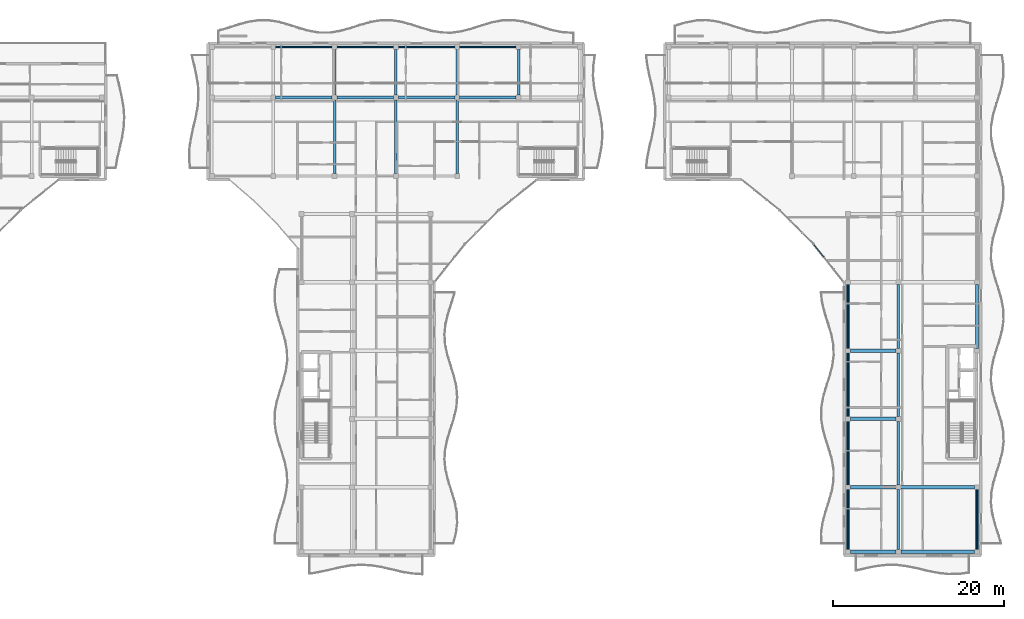
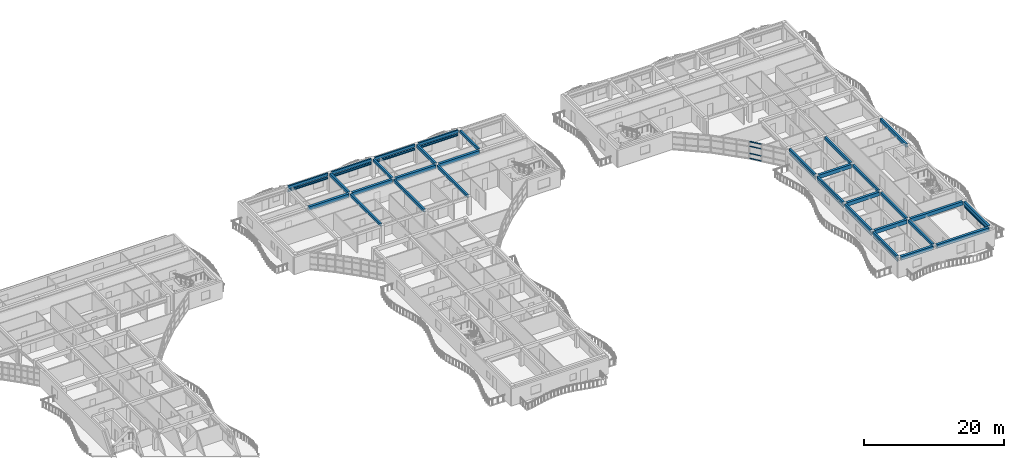
# One storey, part 17 of 68: 31 beams, 22 members, 1 element without a shape of its own.
"""IFC4 building model written with IfcOpenShell, lengths in metres."""

from ifc_helpers import new_model, si_unit, direction, frame, origin, origin_2d, place, context, subcontext, project, spatial, rectangle, hollow_rectangle, extrude, material, layer, layer_set, material_profile, profile_set, type_object, element, aggregate, save


model = new_model("IFC4")

# Units and contexts
model_context = context("Model", 3, precision=1e-05, world=origin(), true_north=direction((0.0, 1.0)))
body_context = subcontext(model_context, "Body", "Model", "MODEL_VIEW")
ifc_project = project(units=[si_unit("LENGTHUNIT", "METRE"), si_unit("AREAUNIT", "SQUARE_METRE"), si_unit("VOLUMEUNIT", "CUBIC_METRE"), si_unit("PLANEANGLEUNIT", "RADIAN"), si_unit("MASSUNIT", "GRAM", prefix="KILO")], contexts=[model_context])

# Site, building, storey
site_placement = place(None, origin())
site = spatial("IfcSite", under=ifc_project, at=site_placement, CompositionType="ELEMENT")
building_placement = place(site_placement, origin())
building = spatial("IfcBuilding", under=site, at=building_placement, Name="Keldmere Railside Commons", CompositionType="ELEMENT")
storey_placement = place(building_placement, frame((0.0, 0.0, 23.360107421875)))
storey = spatial("IfcBuildingStorey", under=building, at=storey_placement, Name="L07", CompositionType="ELEMENT", Elevation=23.360107421875)

# Members
ifc_material_1 = material(Name="Steel F-36 (S355)", Category="steel")
ifc_material_profile_1 = material_profile(ifc_material_1, hollow_rectangle(XDim=0.14990234375, YDim=0.25, WallThickness=0.010009765625, at=origin_2d()), Name="RHS-250x150x10")
ifc_profile_set_1 = profile_set([ifc_material_profile_1], Name="Steel F-36 (S355)")
member_type_1 = type_object("IfcMemberType", Name="Balcony Continuous Planted Trough RHS250x150", PredefinedType="CHORD", material=ifc_profile_set_1)
member_1_placement = place(storey_placement, frame((101.407958984375, 115.550048828125, 2.414794921875), z_axis=(1.0, 0.0, 0.0), x_axis=(0.0, 1.0, 0.0)))
element("IfcMember", 1, at=member_1_placement, inside=storey, type_object=member_type_1, Name="PLT-1 MEM-BPLT-0813", PredefinedType="CHORD", context=body_context, shape_type="SweptSolid", body=[
    extrude(hollow_rectangle(XDim=0.14990234375, YDim=0.25, WallThickness=0.010009765625, at=origin_2d()), origin(), (0.0, 0.0, 1.0), 6.634033203125),
])
for number, where, z_axis, x_axis, name in (
    (2, (108.592041015625, 115.550048828125, 2.414794921875), (1.0, 0.0, 0.0), (0.0, 1.0, 0.0), "PLT-1 MEM-BPLT-0815"),
    (3, (115.77490234375, 115.550048828125, 2.414794921875), (1.0, 0.0, 0.0), (0.0, 1.0, 0.0), "PLT-1 MEM-BPLT-0817"),
):
    element("IfcMember", number, at=place(storey_placement, frame(where, z_axis=z_axis, x_axis=x_axis)), inside=storey, type_object=member_type_1, Name=name, PredefinedType="CHORD", context=body_context, shape_type="SweptSolid", body=[
        extrude(hollow_rectangle(XDim=0.14990234375, YDim=0.25, WallThickness=0.010009765625, at=origin_2d()), origin(), (0.0, 0.0, 1.0), 6.633056640625),
    ])
member_2_placement = place(storey_placement, frame((122.9580078125, 115.550048828125, 2.414794921875), z_axis=(1.0, 0.0, 0.0), x_axis=(0.0, 1.0, 0.0)))
element("IfcMember", 4, at=member_2_placement, inside=storey, type_object=member_type_1, Name="PLT-1 MEM-BPLT-0819", PredefinedType="CHORD", context=body_context, shape_type="SweptSolid", body=[
    extrude(hollow_rectangle(XDim=0.14990234375, YDim=0.25, WallThickness=0.010009765625, at=origin_2d()), origin(), (0.0, 0.0, 1.0), 6.634033203125),
])
member_3_placement = place(storey_placement, frame((168.449951171875, 56.72509765625, 2.414794921875), z_axis=(0.0, 1.0, 0.0), x_axis=(-1.0, 0.0, 0.0)))
element("IfcMember", 5, at=member_3_placement, inside=storey, type_object=member_type_1, Name="PLT-1 MEM-BPLT-0849", PredefinedType="CHORD", context=body_context, shape_type="SweptSolid", body=[
    extrude(hollow_rectangle(XDim=0.14990234375, YDim=0.25, WallThickness=0.010009765625, at=origin_2d()), origin(), (0.0, 0.0, 1.0), 7.0),
])
for number, where, z_axis, x_axis, name in (
    (6, (168.449951171875, 64.27490234375, 2.414794921875), (0.0, 1.0, 0.0), (-1.0, 0.0, 0.0), "PLT-1 MEM-BPLT-0851"),
    (7, (168.449951171875, 72.27490234375, 2.414794921875), (0.0, 1.0, 0.0), (-1.0, 0.0, 0.0), "PLT-1 MEM-BPLT-0853"),
    (8, (168.449951171875, 80.27490234375, 2.414794921875), (0.0, 1.0, 0.0), (-1.0, 0.0, 0.0), "PLT-1 MEM-BPLT-0855"),
):
    element("IfcMember", number, at=place(storey_placement, frame(where, z_axis=z_axis, x_axis=x_axis)), inside=storey, type_object=member_type_1, Name=name, PredefinedType="CHORD", context=body_context, shape_type="SweptSolid", body=[
        extrude(hollow_rectangle(XDim=0.14990234375, YDim=0.25, WallThickness=0.010009765625, at=origin_2d()), origin(), (0.0, 0.0, 1.0), 7.4501953125),
    ])
member_4_placement = place(storey_placement, frame((183.550048828125, 56.72509765625, 2.414794921875), z_axis=(0.0, 1.0, 0.0), x_axis=(-1.0, 0.0, 0.0)))
element("IfcMember", 9, at=member_4_placement, inside=storey, type_object=member_type_1, Name="PLT-1 MEM-BPLT-0859", PredefinedType="CHORD", context=body_context, shape_type="SweptSolid", body=[
    extrude(hollow_rectangle(XDim=0.14990234375, YDim=0.25, WallThickness=0.010009765625, at=origin_2d()), origin(), (0.0, 0.0, 1.0), 7.0),
])

# Beams
ifc_material_2 = material(Name="Architectural Precast Concrete H-35 (C35/45)", Category="concrete")
ifc_material_profile_2 = material_profile(ifc_material_2, rectangle(XDim=0.25, YDim=0.449951171875, at=origin_2d()), Name="RC-250x450")
ifc_profile_set_2 = profile_set([ifc_material_profile_2], Name="Architectural Precast Concrete H-35 (C35/45)")
beam_type_1 = type_object("IfcBeamType", Name="Perimeter Precast Spandrel Beam 250x450", PredefinedType="SPANDREL", material=ifc_profile_set_2)
beam_1_placement = place(storey_placement, frame((101.407958984375, 115.550048828125, 2.974853515625), z_axis=(1.0, 0.0, 0.0), x_axis=(0.0, 1.0, 0.0)))
element("IfcBeam", 10, at=beam_1_placement, inside=storey, type_object=beam_type_1, Name="SPB-1 BM-L07-2084", PredefinedType="SPANDREL", context=body_context, shape_type="SweptSolid", body=[
    extrude(rectangle(XDim=0.25, YDim=0.449951171875, at=origin_2d()), origin(), (0.0, 0.0, 1.0), 6.634033203125),
])
for number, where, z_axis, x_axis, name in (
    (11, (108.592041015625, 115.550048828125, 2.974853515625), (1.0, 0.0, 0.0), (0.0, 1.0, 0.0), "SPB-1 BM-L07-2085"),
    (12, (115.77490234375, 115.550048828125, 2.974853515625), (1.0, 0.0, 0.0), (0.0, 1.0, 0.0), "SPB-1 BM-L07-2086"),
):
    element("IfcBeam", number, at=place(storey_placement, frame(where, z_axis=z_axis, x_axis=x_axis)), inside=storey, type_object=beam_type_1, Name=name, PredefinedType="SPANDREL", context=body_context, shape_type="SweptSolid", body=[
        extrude(rectangle(XDim=0.25, YDim=0.449951171875, at=origin_2d()), origin(), (0.0, 0.0, 1.0), 6.633056640625),
    ])
beam_2_placement = place(storey_placement, frame((122.9580078125, 115.550048828125, 2.974853515625), z_axis=(1.0, 0.0, 0.0), x_axis=(0.0, 1.0, 0.0)))
element("IfcBeam", 13, at=beam_2_placement, inside=storey, type_object=beam_type_1, Name="SPB-1 BM-L07-2087", PredefinedType="SPANDREL", context=body_context, shape_type="SweptSolid", body=[
    extrude(rectangle(XDim=0.25, YDim=0.449951171875, at=origin_2d()), origin(), (0.0, 0.0, 1.0), 6.634033203125),
])
ifc_material_3 = material(Name="Concrete H-30 (C30/37)", Category="concrete")
ifc_material_profile_3 = material_profile(ifc_material_3, rectangle(XDim=0.35009765625, YDim=0.60009765625, at=origin_2d()), Name="RC-350x600")
ifc_profile_set_3 = profile_set([ifc_material_profile_3], Name="Concrete H-30 (C30/37)")
beam_type_2 = type_object("IfcBeamType", Name="Residential Chord RC Beam 350x600", PredefinedType="BEAM", material=ifc_profile_set_3)
beam_3_placement = place(storey_placement, frame((183.550048828125, 56.72509765625, 2.89990234375), z_axis=(0.0, 1.0, 0.0), x_axis=(-1.0, 0.0, 0.0)))
element("IfcBeam", 14, at=beam_3_placement, inside=storey, type_object=beam_type_2, Name="BG-4 BM-L07-2158", PredefinedType="BEAM", context=body_context, shape_type="SweptSolid", body=[
    extrude(rectangle(XDim=0.35009765625, YDim=0.60009765625, at=origin_2d()), origin(), (0.0, 0.0, 1.0), 7.0),
])
beam_4_placement = place(storey_placement, frame((183.550048828125, 80.27490234375, 2.89990234375), z_axis=(0.0, 1.0, 0.0), x_axis=(-1.0, 0.0, 0.0)))
element("IfcBeam", 15, at=beam_4_placement, inside=storey, type_object=beam_type_2, Name="BG-4 BM-L07-2159", PredefinedType="BEAM", context=body_context, shape_type="SweptSolid", body=[
    extrude(rectangle(XDim=0.35009765625, YDim=0.60009765625, at=origin_2d()), origin(), (0.0, 0.0, 1.0), 7.4501953125),
])
ifc_material_profile_4 = material_profile(ifc_material_3, rectangle(XDim=0.39990234375, YDim=0.64990234375, at=origin_2d()), Name="RC-400x650")
ifc_profile_set_4 = profile_set([ifc_material_profile_4], Name="Concrete H-30 (C30/37)")
beam_type_3 = type_object("IfcBeamType", Name="Residential Spine RC Girder 400x650", PredefinedType="BEAM", material=ifc_profile_set_4)
beam_5_placement = place(storey_placement, frame((168.72509765625, 56.449951171875, 2.875), z_axis=(1.0, 0.0, 0.0), x_axis=(0.0, 1.0, 0.0)))
element("IfcBeam", 16, at=beam_5_placement, inside=storey, type_object=beam_type_3, Name="BG-3 BM-L07-2022", PredefinedType="BEAM", context=body_context, shape_type="SweptSolid", body=[
    extrude(rectangle(XDim=0.39990234375, YDim=0.64990234375, at=origin_2d()), origin(), (0.0, 0.0, 1.0), 5.349853515625),
])
beam_6_placement = place(storey_placement, frame((174.625, 56.449951171875, 2.875), z_axis=(1.0, 0.0, 0.0), x_axis=(0.0, 1.0, 0.0)))
element("IfcBeam", 17, at=beam_6_placement, inside=storey, type_object=beam_type_3, Name="BG-3 BM-L07-2023", PredefinedType="BEAM", context=body_context, shape_type="SweptSolid", body=[
    extrude(rectangle(XDim=0.39990234375, YDim=0.64990234375, at=origin_2d()), origin(), (0.0, 0.0, 1.0), 8.64990234375),
])
beam_7_placement = place(storey_placement, frame((168.72509765625, 64.0, 2.875), z_axis=(1.0, 0.0, 0.0), x_axis=(0.0, 1.0, 0.0)))
element("IfcBeam", 18, at=beam_7_placement, inside=storey, type_object=beam_type_3, Name="BG-3 BM-L07-2028", PredefinedType="BEAM", context=body_context, shape_type="SweptSolid", body=[
    extrude(rectangle(XDim=0.39990234375, YDim=0.64990234375, at=origin_2d()), origin(), (0.0, 0.0, 1.0), 5.349853515625),
])
beam_8_placement = place(storey_placement, frame((174.625, 64.0, 2.875), z_axis=(1.0, 0.0, 0.0), x_axis=(0.0, 1.0, 0.0)))
element("IfcBeam", 19, at=beam_8_placement, inside=storey, type_object=beam_type_3, Name="BG-3 BM-L07-2029", PredefinedType="BEAM", context=body_context, shape_type="SweptSolid", body=[
    extrude(rectangle(XDim=0.39990234375, YDim=0.64990234375, at=origin_2d()), origin(), (0.0, 0.0, 1.0), 8.64990234375),
])
for number, where, z_axis, x_axis, name in (
    (20, (168.72509765625, 72.0, 2.875), (1.0, 0.0, 0.0), (0.0, 1.0, 0.0), "BG-3 BM-L07-2033"),
    (21, (168.72509765625, 80.0, 2.875), (1.0, 0.0, 0.0), (0.0, 1.0, 0.0), "BG-3 BM-L07-2037"),
):
    element("IfcBeam", number, at=place(storey_placement, frame(where, z_axis=z_axis, x_axis=x_axis)), inside=storey, type_object=beam_type_3, Name=name, PredefinedType="BEAM", context=body_context, shape_type="SweptSolid", body=[
        extrude(rectangle(XDim=0.39990234375, YDim=0.64990234375, at=origin_2d()), origin(), (0.0, 0.0, 1.0), 5.349853515625),
    ])
beam_9_placement = place(storey_placement, frame((101.407958984375, 109.64990234375, 2.875), z_axis=(1.0, 0.0, 0.0), x_axis=(0.0, 1.0, 0.0)))
element("IfcBeam", 22, at=beam_9_placement, inside=storey, type_object=beam_type_3, Name="BG-3 BM-L07-2073", PredefinedType="BEAM", context=body_context, shape_type="SweptSolid", body=[
    extrude(rectangle(XDim=0.39990234375, YDim=0.64990234375, at=origin_2d()), origin(), (0.0, 0.0, 1.0), 6.634033203125),
])
for number, where, z_axis, x_axis, name in (
    (23, (108.592041015625, 109.64990234375, 2.875), (1.0, 0.0, 0.0), (0.0, 1.0, 0.0), "BG-3 BM-L07-2074"),
    (24, (115.77490234375, 109.64990234375, 2.875), (1.0, 0.0, 0.0), (0.0, 1.0, 0.0), "BG-3 BM-L07-2075"),
):
    element("IfcBeam", number, at=place(storey_placement, frame(where, z_axis=z_axis, x_axis=x_axis)), inside=storey, type_object=beam_type_3, Name=name, PredefinedType="BEAM", context=body_context, shape_type="SweptSolid", body=[
        extrude(rectangle(XDim=0.39990234375, YDim=0.64990234375, at=origin_2d()), origin(), (0.0, 0.0, 1.0), 6.633056640625),
    ])
beam_10_placement = place(storey_placement, frame((122.9580078125, 109.64990234375, 2.875), z_axis=(1.0, 0.0, 0.0), x_axis=(0.0, 1.0, 0.0)))
element("IfcBeam", 25, at=beam_10_placement, inside=storey, type_object=beam_type_3, Name="BG-3 BM-L07-2076", PredefinedType="BEAM", context=body_context, shape_type="SweptSolid", body=[
    extrude(rectangle(XDim=0.39990234375, YDim=0.64990234375, at=origin_2d()), origin(), (0.0, 0.0, 1.0), 6.634033203125),
])
ifc_material_profile_5 = material_profile(ifc_material_3, rectangle(XDim=0.300048828125, YDim=0.5, at=origin_2d()), Name="RC-300x500")
ifc_profile_set_5 = profile_set([ifc_material_profile_5], Name="Concrete H-30 (C30/37)")
beam_type_4 = type_object("IfcBeamType", Name="Secondary Frame RC Beam 300x500", PredefinedType="BEAM", material=ifc_profile_set_5)
beam_11_placement = place(storey_placement, frame((108.31689453125, 100.72509765625, 2.949951171875), z_axis=(0.0, 1.0, 0.0), x_axis=(-1.0, 0.0, 0.0)))
element("IfcBeam", 26, at=beam_11_placement, inside=storey, type_object=beam_type_4, Name="BG-5 BM-L07-2123", PredefinedType="BEAM", context=body_context, shape_type="SweptSolid", body=[
    extrude(rectangle(XDim=0.300048828125, YDim=0.5, at=origin_2d()), origin(), (0.0, 0.0, 1.0), 8.64990234375),
])
beam_12_placement = place(storey_placement, frame((108.31689453125, 109.925048828125, 2.949951171875), z_axis=(0.0, 1.0, 0.0), x_axis=(-1.0, 0.0, 0.0)))
element("IfcBeam", 27, at=beam_12_placement, inside=storey, type_object=beam_type_4, Name="BG-5 BM-L07-2124", PredefinedType="BEAM", context=body_context, shape_type="SweptSolid", body=[
    extrude(rectangle(XDim=0.300048828125, YDim=0.5, at=origin_2d()), origin(), (0.0, 0.0, 1.0), 5.349853515625),
])
beam_13_placement = place(storey_placement, frame((115.5, 100.72509765625, 2.949951171875), z_axis=(0.0, 1.0, 0.0), x_axis=(-1.0, 0.0, 0.0)))
element("IfcBeam", 28, at=beam_13_placement, inside=storey, type_object=beam_type_4, Name="BG-5 BM-L07-2130", PredefinedType="BEAM", context=body_context, shape_type="SweptSolid", body=[
    extrude(rectangle(XDim=0.300048828125, YDim=0.5, at=origin_2d()), origin(), (0.0, 0.0, 1.0), 8.64990234375),
])
beam_14_placement = place(storey_placement, frame((115.5, 109.925048828125, 2.949951171875), z_axis=(0.0, 1.0, 0.0), x_axis=(-1.0, 0.0, 0.0)))
element("IfcBeam", 29, at=beam_14_placement, inside=storey, type_object=beam_type_4, Name="BG-5 BM-L07-2131", PredefinedType="BEAM", context=body_context, shape_type="SweptSolid", body=[
    extrude(rectangle(XDim=0.300048828125, YDim=0.5, at=origin_2d()), origin(), (0.0, 0.0, 1.0), 5.349853515625),
])
beam_15_placement = place(storey_placement, frame((122.68310546875, 100.72509765625, 2.949951171875), z_axis=(0.0, 1.0, 0.0), x_axis=(-1.0, 0.0, 0.0)))
element("IfcBeam", 30, at=beam_15_placement, inside=storey, type_object=beam_type_4, Name="BG-5 BM-L07-2137", PredefinedType="BEAM", context=body_context, shape_type="SweptSolid", body=[
    extrude(rectangle(XDim=0.300048828125, YDim=0.5, at=origin_2d()), origin(), (0.0, 0.0, 1.0), 8.64990234375),
])
for number, where, z_axis, x_axis, name in (
    (31, (122.68310546875, 109.925048828125, 2.949951171875), (0.0, 1.0, 0.0), (-1.0, 0.0, 0.0), "BG-5 BM-L07-2138"),
    (32, (129.866943359375, 109.925048828125, 2.949951171875), (0.0, 1.0, 0.0), (-1.0, 0.0, 0.0), "BG-5 BM-L07-2139"),
):
    element("IfcBeam", number, at=place(storey_placement, frame(where, z_axis=z_axis, x_axis=x_axis)), inside=storey, type_object=beam_type_4, Name=name, PredefinedType="BEAM", context=body_context, shape_type="SweptSolid", body=[
        extrude(rectangle(XDim=0.300048828125, YDim=0.5, at=origin_2d()), origin(), (0.0, 0.0, 1.0), 5.349853515625),
    ])
beam_16_placement = place(storey_placement, frame((168.449951171875, 56.72509765625, 2.949951171875), z_axis=(0.0, 1.0, 0.0), x_axis=(-1.0, 0.0, 0.0)))
element("IfcBeam", 33, at=beam_16_placement, inside=storey, type_object=beam_type_4, Name="BG-5 BM-L07-2145", PredefinedType="BEAM", context=body_context, shape_type="SweptSolid", body=[
    extrude(rectangle(XDim=0.300048828125, YDim=0.5, at=origin_2d()), origin(), (0.0, 0.0, 1.0), 7.0),
])
for number, where, z_axis, x_axis, name in (
    (34, (168.449951171875, 64.27490234375, 2.949951171875), (0.0, 1.0, 0.0), (-1.0, 0.0, 0.0), "BG-5 BM-L07-2146"),
    (35, (168.449951171875, 72.27490234375, 2.949951171875), (0.0, 1.0, 0.0), (-1.0, 0.0, 0.0), "BG-5 BM-L07-2147"),
    (36, (168.449951171875, 80.27490234375, 2.949951171875), (0.0, 1.0, 0.0), (-1.0, 0.0, 0.0), "BG-5 BM-L07-2148"),
):
    element("IfcBeam", number, at=place(storey_placement, frame(where, z_axis=z_axis, x_axis=x_axis)), inside=storey, type_object=beam_type_4, Name=name, PredefinedType="BEAM", context=body_context, shape_type="SweptSolid", body=[
        extrude(rectangle(XDim=0.300048828125, YDim=0.5, at=origin_2d()), origin(), (0.0, 0.0, 1.0), 7.4501953125),
    ])
beam_17_placement = place(storey_placement, frame((174.35009765625, 56.72509765625, 2.949951171875), z_axis=(0.0, 1.0, 0.0), x_axis=(-1.0, 0.0, 0.0)))
element("IfcBeam", 37, at=beam_17_placement, inside=storey, type_object=beam_type_4, Name="BG-5 BM-L07-2152", PredefinedType="BEAM", context=body_context, shape_type="SweptSolid", body=[
    extrude(rectangle(XDim=0.300048828125, YDim=0.5, at=origin_2d()), origin(), (0.0, 0.0, 1.0), 7.0),
])
for number, where, z_axis, x_axis, name in (
    (38, (174.35009765625, 64.27490234375, 2.949951171875), (0.0, 1.0, 0.0), (-1.0, 0.0, 0.0), "BG-5 BM-L07-2153"),
    (39, (174.35009765625, 72.27490234375, 2.949951171875), (0.0, 1.0, 0.0), (-1.0, 0.0, 0.0), "BG-5 BM-L07-2154"),
    (40, (174.35009765625, 80.27490234375, 2.949951171875), (0.0, 1.0, 0.0), (-1.0, 0.0, 0.0), "BG-5 BM-L07-2155"),
):
    element("IfcBeam", number, at=place(storey_placement, frame(where, z_axis=z_axis, x_axis=x_axis)), inside=storey, type_object=beam_type_4, Name=name, PredefinedType="BEAM", context=body_context, shape_type="SweptSolid", body=[
        extrude(rectangle(XDim=0.300048828125, YDim=0.5, at=origin_2d()), origin(), (0.0, 0.0, 1.0), 7.4501953125),
    ])

# Members
ifc_material_profile_6 = material_profile(ifc_material_1, hollow_rectangle(XDim=0.10009765625, YDim=0.159912109375, WallThickness=0.008056640625, at=origin_2d()), Name="RHS-160x100x8")
ifc_profile_set_6 = profile_set([ifc_material_profile_6], Name="Steel F-36 (S355)")
member_type_2 = type_object("IfcMemberType", Name="Solar Brise-Soleil Louvre Fin RHS160x100", PredefinedType="STRUT", material=ifc_profile_set_6)
member_5_placement = place(storey_placement, frame((101.407958984375, 115.550048828125, 2.199951171875), z_axis=(1.0, 0.0, 0.0), x_axis=(0.0, 1.0, 0.0)))
element("IfcMember", 41, at=member_5_placement, inside=storey, type_object=member_type_2, Name="BSF-1 MEM-BSF-0814", PredefinedType="STRUT", context=body_context, shape_type="SweptSolid", body=[
    extrude(hollow_rectangle(XDim=0.10009765625, YDim=0.159912109375, WallThickness=0.008056640625, at=origin_2d()), origin(), (0.0, 0.0, 1.0), 6.634033203125),
])
for number, where, z_axis, x_axis, name in (
    (42, (108.592041015625, 115.550048828125, 2.199951171875), (1.0, 0.0, 0.0), (0.0, 1.0, 0.0), "BSF-1 MEM-BSF-0816"),
    (43, (115.77490234375, 115.550048828125, 2.199951171875), (1.0, 0.0, 0.0), (0.0, 1.0, 0.0), "BSF-1 MEM-BSF-0818"),
):
    element("IfcMember", number, at=place(storey_placement, frame(where, z_axis=z_axis, x_axis=x_axis)), inside=storey, type_object=member_type_2, Name=name, PredefinedType="STRUT", context=body_context, shape_type="SweptSolid", body=[
        extrude(hollow_rectangle(XDim=0.10009765625, YDim=0.159912109375, WallThickness=0.008056640625, at=origin_2d()), origin(), (0.0, 0.0, 1.0), 6.633056640625),
    ])
member_6_placement = place(storey_placement, frame((122.9580078125, 115.550048828125, 2.199951171875), z_axis=(1.0, 0.0, 0.0), x_axis=(0.0, 1.0, 0.0)))
element("IfcMember", 44, at=member_6_placement, inside=storey, type_object=member_type_2, Name="BSF-1 MEM-BSF-0820", PredefinedType="STRUT", context=body_context, shape_type="SweptSolid", body=[
    extrude(hollow_rectangle(XDim=0.10009765625, YDim=0.159912109375, WallThickness=0.008056640625, at=origin_2d()), origin(), (0.0, 0.0, 1.0), 6.634033203125),
])
member_7_placement = place(storey_placement, frame((168.449951171875, 56.72509765625, 2.199951171875), z_axis=(0.0, 1.0, 0.0), x_axis=(-1.0, 0.0, 0.0)))
element("IfcMember", 45, at=member_7_placement, inside=storey, type_object=member_type_2, Name="BSF-1 MEM-BSF-0850", PredefinedType="STRUT", context=body_context, shape_type="SweptSolid", body=[
    extrude(hollow_rectangle(XDim=0.10009765625, YDim=0.159912109375, WallThickness=0.008056640625, at=origin_2d()), origin(), (0.0, 0.0, 1.0), 7.0),
])
for number, where, z_axis, x_axis, name in (
    (46, (168.449951171875, 64.27490234375, 2.199951171875), (0.0, 1.0, 0.0), (-1.0, 0.0, 0.0), "BSF-1 MEM-BSF-0852"),
    (47, (168.449951171875, 72.27490234375, 2.199951171875), (0.0, 1.0, 0.0), (-1.0, 0.0, 0.0), "BSF-1 MEM-BSF-0854"),
    (48, (168.449951171875, 80.27490234375, 2.199951171875), (0.0, 1.0, 0.0), (-1.0, 0.0, 0.0), "BSF-1 MEM-BSF-0856"),
):
    element("IfcMember", number, at=place(storey_placement, frame(where, z_axis=z_axis, x_axis=x_axis)), inside=storey, type_object=member_type_2, Name=name, PredefinedType="STRUT", context=body_context, shape_type="SweptSolid", body=[
        extrude(hollow_rectangle(XDim=0.10009765625, YDim=0.159912109375, WallThickness=0.008056640625, at=origin_2d()), origin(), (0.0, 0.0, 1.0), 7.4501953125),
    ])
member_8_placement = place(storey_placement, frame((183.550048828125, 56.72509765625, 2.199951171875), z_axis=(0.0, 1.0, 0.0), x_axis=(-1.0, 0.0, 0.0)))
element("IfcMember", 49, at=member_8_placement, inside=storey, type_object=member_type_2, Name="BSF-1 MEM-BSF-0860", PredefinedType="STRUT", context=body_context, shape_type="SweptSolid", body=[
    extrude(hollow_rectangle(XDim=0.10009765625, YDim=0.159912109375, WallThickness=0.008056640625, at=origin_2d()), origin(), (0.0, 0.0, 1.0), 7.0),
])

# Curtain wall, members
ifc_material_4 = material(Name="Thermally Broken Aluminium", Category="aluminium")
ifc_layer = layer(ifc_material_4, 0.159912109375, Name="Court Chord Wintergarden CW 5400x2850")
ifc_layer_set = layer_set([ifc_layer], Name="Thermally Broken Aluminium")
curtain_wall_type = type_object("IfcCurtainWallType", Name="Court Chord Wintergarden CW 5400x2850", PredefinedType="NOTDEFINED", material=ifc_layer_set)
curtain_wall_placement = place(storey_placement, origin())
curtain_wall = element("IfcCurtainWall", 50, at=curtain_wall_placement, inside=storey, type_object=curtain_wall_type, Name="CW-13 CW-L07-180", PredefinedType="NOTDEFINED")
ifc_material_profile_7 = material_profile(ifc_material_4, hollow_rectangle(XDim=0.06494140625, YDim=0.1201171875, WallThickness=0.00390625, at=origin_2d()), Name="ALU-TRAN-65x120")
ifc_profile_set_7 = profile_set([ifc_material_profile_7], Name="Thermally Broken Aluminium")
member_type_3 = type_object("IfcMemberType", Name="Unitised Curtain Wall Transom 65x120", PredefinedType="USERDEFINED", material=ifc_profile_set_7)
member_9_placement = place(storey_placement, frame((165.6103515625, 90.978759765625, 0.032470703125), z_axis=(-0.625805275091, 0.779979331565, 0.0), x_axis=(-0.779979331565, -0.625805275091, 0.0)))
member_9 = element("IfcMember", 51, at=member_9_placement, type_object=member_type_3, Name="CW-13 transom 3.1", ObjectType="TRANSOM", PredefinedType="USERDEFINED", context=body_context, shape_type="SweptSolid", body=[
    extrude(hollow_rectangle(XDim=0.06494140625, YDim=0.1201171875, WallThickness=0.00390625, at=origin_2d()), origin(), (0.0, 0.0, 1.0), 1.795654296875),
])
member_10_placement = place(storey_placement, frame((165.6103515625, 90.978759765625, 0.89990234375), z_axis=(-0.625805275091, 0.779979331565, 0.0), x_axis=(-0.779979331565, -0.625805275091, 0.0)))
member_10 = element("IfcMember", 52, at=member_10_placement, type_object=member_type_3, Name="CW-13 transom 3.2", ObjectType="TRANSOM", PredefinedType="USERDEFINED", context=body_context, shape_type="SweptSolid", body=[
    extrude(hollow_rectangle(XDim=0.06494140625, YDim=0.1201171875, WallThickness=0.00390625, at=origin_2d()), origin(), (0.0, 0.0, 1.0), 1.795654296875),
])
member_11_placement = place(storey_placement, frame((165.6103515625, 90.978759765625, 2.14990234375), z_axis=(-0.625805275091, 0.779979331565, 0.0), x_axis=(-0.779979331565, -0.625805275091, 0.0)))
member_11 = element("IfcMember", 53, at=member_11_placement, type_object=member_type_3, Name="CW-13 transom 3.3", ObjectType="TRANSOM", PredefinedType="USERDEFINED", context=body_context, shape_type="SweptSolid", body=[
    extrude(hollow_rectangle(XDim=0.06494140625, YDim=0.1201171875, WallThickness=0.00390625, at=origin_2d()), origin(), (0.0, 0.0, 1.0), 1.795654296875),
])
member_12_placement = place(storey_placement, frame((165.6103515625, 90.978759765625, 2.947509765625), z_axis=(-0.625805275091, 0.779979331565, 0.0), x_axis=(-0.779979331565, -0.625805275091, 0.0)))
member_12 = element("IfcMember", 54, at=member_12_placement, type_object=member_type_3, Name="CW-13 transom 3.4", ObjectType="TRANSOM", PredefinedType="USERDEFINED", context=body_context, shape_type="SweptSolid", body=[
    extrude(hollow_rectangle(XDim=0.06494140625, YDim=0.1201171875, WallThickness=0.00390625, at=origin_2d()), origin(), (0.0, 0.0, 1.0), 1.795654296875),
])
aggregate(curtain_wall, [member_9, member_10, member_11, member_12])

save(model, "model.ifc")
